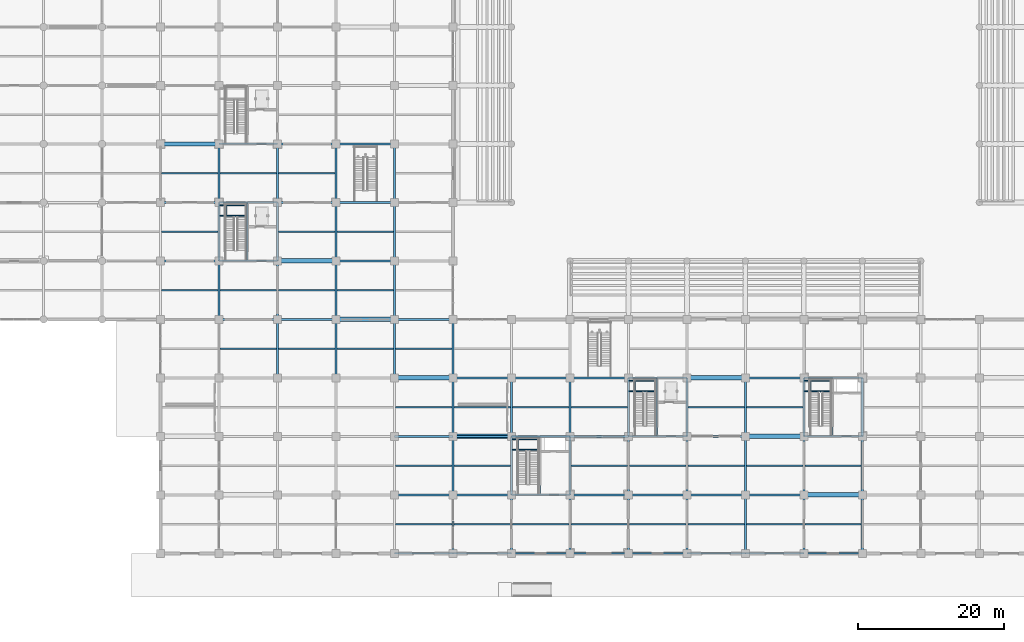
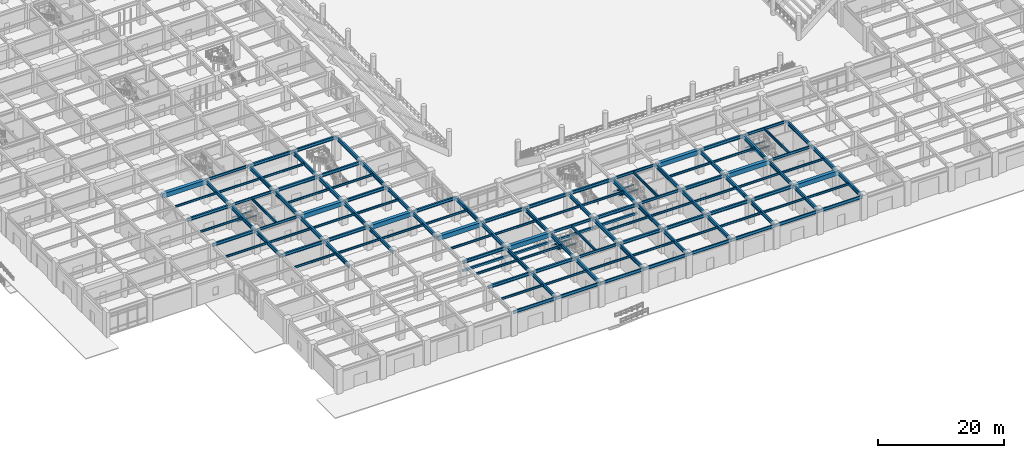
# One storey, part 24 of 125: 143 beams.
"""IFC4 building model written with IfcOpenShell, lengths in metres."""

from ifc_helpers import new_model, si_unit, direction, frame, origin, origin_2d, place, context, subcontext, project, spatial, rectangle, i_section, extrude, material, material_profile, profile_set, type_object, element, save


model = new_model("IFC4")

# Units and contexts
model_context = context("Model", 3, precision=1e-05, world=origin(), true_north=direction((0.0, 1.0)))
body_context = subcontext(model_context, "Body", "Model", "MODEL_VIEW")
ifc_project = project(units=[si_unit("LENGTHUNIT", "METRE"), si_unit("AREAUNIT", "SQUARE_METRE"), si_unit("VOLUMEUNIT", "CUBIC_METRE"), si_unit("PLANEANGLEUNIT", "RADIAN"), si_unit("MASSUNIT", "GRAM", prefix="KILO")], contexts=[model_context])

# Site, building, storey
site_placement = place(None, origin())
site = spatial("IfcSite", under=ifc_project, at=site_placement, CompositionType="ELEMENT")
building_placement = place(site_placement, origin())
building = spatial("IfcBuilding", under=site, at=building_placement, Name="Haebicheon Civic Stadium", CompositionType="ELEMENT")
storey_placement = place(building_placement, origin())
storey = spatial("IfcBuildingStorey", under=building, at=storey_placement, Name="L01", CompositionType="ELEMENT", Elevation=0.0)

# Beams
ifc_material_1 = material(Name="Precast concrete C40/50", Category="concrete")
ifc_material_profile_1 = material_profile(ifc_material_1, rectangle(XDim=0.300048828125, YDim=0.39990234375, at=origin_2d()), Name="PC-LN-300x400")
ifc_profile_set_1 = profile_set([ifc_material_profile_1], Name="Precast concrete C40/50")
beam_type_1 = type_object("IfcBeamType", Name="BM-LN-300x400", PredefinedType="LINTEL", material=ifc_profile_set_1)
for number, where, z_axis, x_axis, name in (
    (1, (56.0, 16.0, 2.550048828125), (1.0, 0.0, 0.0), (0.0, 1.0, 0.0), "Precast portal lintel 3"),
    (2, (64.0, 16.0, 2.550048828125), (1.0, 0.0, 0.0), (0.0, 1.0, 0.0), "Precast portal lintel 4"),
    (3, (72.0, 16.0, 2.550048828125), (1.0, 0.0, 0.0), (0.0, 1.0, 0.0), "Precast portal lintel 5"),
    (4, (80.0, 16.0, 2.550048828125), (1.0, 0.0, 0.0), (0.0, 1.0, 0.0), "Precast portal lintel 6"),
):
    element("IfcBeam", number, at=place(storey_placement, frame(where, z_axis=z_axis, x_axis=x_axis)), inside=storey, type_object=beam_type_1, material=ifc_profile_set_1, Name=name, PredefinedType="LINTEL", context=body_context, shape_type="SweptSolid", body=[
        extrude(rectangle(XDim=0.300048828125, YDim=0.39990234375, at=origin_2d()), origin(), (0.0, 0.0, 1.0), 8.0),
    ])
ifc_material_2 = material(Name="Steel SM355 (S355)", Category="steel")
ifc_material_profile_2 = material_profile(ifc_material_2, i_section(OverallWidth=0.199951171875, OverallDepth=0.5, WebThickness=0.010009765625, FlangeThickness=0.01611328125, at=origin_2d()), Name="H-500x200x10x16")
ifc_profile_set_2 = profile_set([ifc_material_profile_2], Name="Steel SM355 (S355)")
beam_type_2 = type_object("IfcBeamType", Name="BM-ST-H500", PredefinedType="BEAM", material=ifc_profile_set_2)
for number, where, z_axis, x_axis, name in (
    (5, (32.0, 40.0, 4.22998046875), (1.0, 0.0, 0.0), (0.0, 1.0, 0.0), "L01 beam F/5-6"),
    (6, (32.0, 48.0, 4.22998046875), (1.0, 0.0, 0.0), (0.0, 1.0, 0.0), "L01 beam G/5-6"),
    (7, (32.0, 56.0, 4.22998046875), (1.0, 0.0, 0.0), (0.0, 1.0, 0.0), "L01 beam H/5-6"),
    (8, (72.0, 8.0, 4.27001953125), (1.0, 0.0, 0.0), (0.0, 1.0, 0.0), "L01 beam B/10-11"),
    (9, (72.0, 16.0, 4.27001953125), (1.0, 0.0, 0.0), (0.0, 1.0, 0.0), "L01 beam C/10-11"),
    (10, (88.0, 16.0, 4.27001953125), (1.0, 0.0, 0.0), (0.0, 1.0, 0.0), "L01 beam C/12-13"),
    (11, (88.0, 24.0, 4.27001953125), (1.0, 0.0, 0.0), (0.0, 1.0, 0.0), "L01 beam D/12-13"),
    (12, (112.0, 16.0, 4.27001953125), (1.0, 0.0, 0.0), (0.0, 1.0, 0.0), "L01 beam C/15-16"),
    (13, (112.0, 24.0, 4.27001953125), (1.0, 0.0, 0.0), (0.0, 1.0, 0.0), "L01 beam D/15-16"),
):
    element("IfcBeam", number, at=place(storey_placement, frame(where, z_axis=z_axis, x_axis=x_axis)), inside=storey, type_object=beam_type_2, material=ifc_profile_set_2, Name=name, PredefinedType="BEAM", context=body_context, shape_type="SweptSolid", body=[
        extrude(i_section(OverallWidth=0.199951171875, OverallDepth=0.5, WebThickness=0.010009765625, FlangeThickness=0.01611328125, at=origin_2d()), origin(), (0.0, 0.0, 1.0), 8.0),
    ])
for number, where, z_axis, x_axis, name in (
    (14, (35.8798828125, 40.10009765625, 4.22998046875), (0.0, 1.0, 0.0), (-1.0, 0.0, 0.0), "L01 KC-01 core dividing wall support beam"),
    (15, (75.8798828125, 8.10009765625, 4.27001953125), (0.0, 1.0, 0.0), (-1.0, 0.0, 0.0), "L01 KC-16 core dividing wall support beam"),
    (16, (91.8798828125, 16.10009765625, 4.27001953125), (0.0, 1.0, 0.0), (-1.0, 0.0, 0.0), "L01 KC-06 core dividing wall support beam"),
    (17, (115.8798828125, 16.10009765625, 4.27001953125), (0.0, 1.0, 0.0), (-1.0, 0.0, 0.0), "L01 KC-07 core dividing wall support beam"),
):
    element("IfcBeam", number, at=place(storey_placement, frame(where, z_axis=z_axis, x_axis=x_axis)), inside=storey, type_object=beam_type_2, material=ifc_profile_set_2, Name=name, PredefinedType="BEAM", context=body_context, shape_type="SweptSolid", body=[
        extrude(i_section(OverallWidth=0.199951171875, OverallDepth=0.5, WebThickness=0.010009765625, FlangeThickness=0.01611328125, at=origin_2d()), origin(), (0.0, 0.0, 1.0), 7.7998046875),
    ])
ifc_material_3 = material(Name="Steel SM355 (S355)", Category="steel")
ifc_material_profile_3 = material_profile(ifc_material_3, i_section(OverallWidth=0.300048828125, OverallDepth=0.60009765625, WebThickness=0.011962890625, FlangeThickness=0.02001953125, at=origin_2d()), Name="H-600x300x12x20")
ifc_profile_set_3 = profile_set([ifc_material_profile_3], Name="Steel SM355 (S355)")
beam_type_3 = type_object("IfcBeamType", Name="BM-ST-H600A", PredefinedType="BEAM", material=ifc_profile_set_3)
for number, where, z_axis, x_axis, name in (
    (18, (24.0, 40.0, 4.179931640625), (1.0, 0.0, 0.0), (0.0, 1.0, 0.0), "L01 beam F/4-5"),
    (19, (24.0, 48.0, 4.179931640625), (1.0, 0.0, 0.0), (0.0, 1.0, 0.0), "L01 beam G/4-5"),
    (20, (32.0, 32.0, 4.179931640625), (1.0, 0.0, 0.0), (0.0, 1.0, 0.0), "L01 beam E/5-6"),
    (21, (40.0, 32.0, 4.179931640625), (1.0, 0.0, 0.0), (0.0, 1.0, 0.0), "L01 beam E/6-7"),
    (22, (40.0, 48.0, 4.179931640625), (1.0, 0.0, 0.0), (0.0, 1.0, 0.0), "L01 beam G/6-7"),
    (23, (40.0, 56.0, 4.179931640625), (1.0, 0.0, 0.0), (0.0, 1.0, 0.0), "L01 beam H/6-7"),
    (24, (48.0, 40.0, 4.179931640625), (1.0, 0.0, 0.0), (0.0, 1.0, 0.0), "L01 beam F/7-8"),
    (25, (48.0, 48.0, 4.179931640625), (1.0, 0.0, 0.0), (0.0, 1.0, 0.0), "L01 beam G/7-8"),
    (26, (48.0, 56.0, 4.179931640625), (1.0, 0.0, 0.0), (0.0, 1.0, 0.0), "L01 beam H/7-8"),
    (27, (56.0, 8.0, 4.219970703125), (1.0, 0.0, 0.0), (0.0, 1.0, 0.0), "L01 beam B/8-9"),
    (28, (56.0, 16.0, 4.219970703125), (1.0, 0.0, 0.0), (0.0, 1.0, 0.0), "L01 beam C/8-9"),
    (29, (56.0, 32.0, 4.179931640625), (1.0, 0.0, 0.0), (0.0, 1.0, 0.0), "L01 beam E/8-9"),
    (30, (64.0, 8.0, 4.219970703125), (1.0, 0.0, 0.0), (0.0, 1.0, 0.0), "L01 beam B/9-10"),
    (31, (64.0, 24.0, 4.219970703125), (1.0, 0.0, 0.0), (0.0, 1.0, 0.0), "L01 beam D/9-10"),
    (32, (72.0, 24.0, 4.219970703125), (1.0, 0.0, 0.0), (0.0, 1.0, 0.0), "L01 beam D/10-11"),
    (33, (80.0, 8.0, 4.219970703125), (1.0, 0.0, 0.0), (0.0, 1.0, 0.0), "L01 beam B/11-12"),
    (34, (80.0, 16.0, 4.219970703125), (1.0, 0.0, 0.0), (0.0, 1.0, 0.0), "L01 beam C/11-12"),
    (35, (80.0, 24.0, 4.219970703125), (1.0, 0.0, 0.0), (0.0, 1.0, 0.0), "L01 beam D/11-12"),
    (36, (88.0, 8.0, 4.219970703125), (1.0, 0.0, 0.0), (0.0, 1.0, 0.0), "L01 beam B/12-13"),
    (37, (96.0, 8.0, 4.219970703125), (1.0, 0.0, 0.0), (0.0, 1.0, 0.0), "L01 beam B/13-14"),
    (38, (96.0, 16.0, 4.219970703125), (1.0, 0.0, 0.0), (0.0, 1.0, 0.0), "L01 beam C/13-14"),
    (39, (104.0, 8.0, 4.219970703125), (1.0, 0.0, 0.0), (0.0, 1.0, 0.0), "L01 beam B/14-15"),
    (40, (104.0, 24.0, 4.219970703125), (1.0, 0.0, 0.0), (0.0, 1.0, 0.0), "L01 beam D/14-15"),
):
    element("IfcBeam", number, at=place(storey_placement, frame(where, z_axis=z_axis, x_axis=x_axis)), inside=storey, type_object=beam_type_3, material=ifc_profile_set_3, Name=name, PredefinedType="BEAM", context=body_context, shape_type="SweptSolid", body=[
        extrude(i_section(OverallWidth=0.300048828125, OverallDepth=0.60009765625, WebThickness=0.011962890625, FlangeThickness=0.02001953125, at=origin_2d()), origin(), (0.0, 0.0, 1.0), 8.0),
    ])
ifc_material_4 = material(Name="Steel SM490", Category="steel")
ifc_material_profile_4 = material_profile(ifc_material_4, i_section(OverallWidth=0.300048828125, OverallDepth=0.699951171875, WebThickness=0.012939453125, FlangeThickness=0.02392578125, at=origin_2d()), Name="H-700x300x13x24")
ifc_profile_set_4 = profile_set([ifc_material_profile_4], Name="Steel SM490")
beam_type_4 = type_object("IfcBeamType", Name="BM-ST-H700", PredefinedType="BEAM", material=ifc_profile_set_4)
for number, where, z_axis, x_axis, name in (
    (41, (32.0, 32.0, 4.1298828125), (0.0, 1.0, 0.0), (-1.0, 0.0, 0.0), "L01 girder 5/E-F"),
    (42, (32.0, 40.0, 4.1298828125), (0.0, 1.0, 0.0), (-1.0, 0.0, 0.0), "L01 girder 5/F-G"),
    (43, (32.0, 48.0, 4.1298828125), (0.0, 1.0, 0.0), (-1.0, 0.0, 0.0), "L01 girder 5/G-H"),
    (44, (40.0, 24.0, 4.1298828125), (0.0, 1.0, 0.0), (-1.0, 0.0, 0.0), "L01 girder 6/D-E"),
    (45, (40.0, 32.0, 4.1298828125), (0.0, 1.0, 0.0), (-1.0, 0.0, 0.0), "L01 girder 6/E-F"),
    (46, (40.0, 40.0, 4.1298828125), (0.0, 1.0, 0.0), (-1.0, 0.0, 0.0), "L01 girder 6/F-G"),
    (47, (40.0, 48.0, 4.1298828125), (0.0, 1.0, 0.0), (-1.0, 0.0, 0.0), "L01 girder 6/G-H"),
    (48, (48.0, 24.0, 4.1298828125), (0.0, 1.0, 0.0), (-1.0, 0.0, 0.0), "L01 girder 7/D-E"),
    (49, (48.0, 32.0, 4.1298828125), (0.0, 1.0, 0.0), (-1.0, 0.0, 0.0), "L01 girder 7/E-F"),
    (50, (48.0, 40.0, 4.1298828125), (0.0, 1.0, 0.0), (-1.0, 0.0, 0.0), "L01 girder 7/F-G"),
    (51, (48.0, 48.0, 4.1298828125), (0.0, 1.0, 0.0), (-1.0, 0.0, 0.0), "L01 girder 7/G-H"),
    (52, (56.0, 24.0, 4.1298828125), (0.0, 1.0, 0.0), (-1.0, 0.0, 0.0), "L01 girder 8/D-E"),
    (53, (56.0, 32.0, 4.1298828125), (0.0, 1.0, 0.0), (-1.0, 0.0, 0.0), "L01 girder 8/E-F"),
    (54, (56.0, 40.0, 4.1298828125), (0.0, 1.0, 0.0), (-1.0, 0.0, 0.0), "L01 girder 8/F-G"),
    (55, (56.0, 48.0, 4.1298828125), (0.0, 1.0, 0.0), (-1.0, 0.0, 0.0), "L01 girder 8/G-H"),
    (56, (64.0, 0.0, 4.169921875), (0.0, 1.0, 0.0), (-1.0, 0.0, 0.0), "L01 girder 9/A-B"),
    (57, (64.0, 8.0, 4.169921875), (0.0, 1.0, 0.0), (-1.0, 0.0, 0.0), "L01 girder 9/B-C"),
    (58, (64.0, 16.0, 4.169921875), (0.0, 1.0, 0.0), (-1.0, 0.0, 0.0), "L01 girder 9/C-D"),
    (59, (64.0, 24.0, 4.1298828125), (0.0, 1.0, 0.0), (-1.0, 0.0, 0.0), "L01 girder 9/D-E"),
    (60, (72.0, 0.0, 4.169921875), (0.0, 1.0, 0.0), (-1.0, 0.0, 0.0), "L01 girder 10/A-B"),
    (61, (72.0, 8.0, 4.169921875), (0.0, 1.0, 0.0), (-1.0, 0.0, 0.0), "L01 girder 10/B-C"),
    (62, (72.0, 16.0, 4.169921875), (0.0, 1.0, 0.0), (-1.0, 0.0, 0.0), "L01 girder 10/C-D"),
    (63, (80.0, 0.0, 4.169921875), (0.0, 1.0, 0.0), (-1.0, 0.0, 0.0), "L01 girder 11/A-B"),
    (64, (80.0, 8.0, 4.169921875), (0.0, 1.0, 0.0), (-1.0, 0.0, 0.0), "L01 girder 11/B-C"),
    (65, (80.0, 16.0, 4.169921875), (0.0, 1.0, 0.0), (-1.0, 0.0, 0.0), "L01 girder 11/C-D"),
    (66, (88.0, 0.0, 4.169921875), (0.0, 1.0, 0.0), (-1.0, 0.0, 0.0), "L01 girder 12/A-B"),
    (67, (88.0, 8.0, 4.169921875), (0.0, 1.0, 0.0), (-1.0, 0.0, 0.0), "L01 girder 12/B-C"),
    (68, (88.0, 16.0, 4.169921875), (0.0, 1.0, 0.0), (-1.0, 0.0, 0.0), "L01 girder 12/C-D"),
    (69, (96.0, 0.0, 4.169921875), (0.0, 1.0, 0.0), (-1.0, 0.0, 0.0), "L01 girder 13/A-B"),
    (70, (96.0, 8.0, 4.169921875), (0.0, 1.0, 0.0), (-1.0, 0.0, 0.0), "L01 girder 13/B-C"),
    (71, (96.0, 16.0, 4.169921875), (0.0, 1.0, 0.0), (-1.0, 0.0, 0.0), "L01 girder 13/C-D"),
    (72, (104.0, 0.0, 4.169921875), (0.0, 1.0, 0.0), (-1.0, 0.0, 0.0), "L01 girder 14/A-B"),
    (73, (104.0, 8.0, 4.169921875), (0.0, 1.0, 0.0), (-1.0, 0.0, 0.0), "L01 girder 14/B-C"),
    (74, (104.0, 16.0, 4.169921875), (0.0, 1.0, 0.0), (-1.0, 0.0, 0.0), "L01 girder 14/C-D"),
    (75, (112.0, 0.0, 4.169921875), (0.0, 1.0, 0.0), (-1.0, 0.0, 0.0), "L01 girder 15/A-B"),
    (76, (112.0, 8.0, 4.169921875), (0.0, 1.0, 0.0), (-1.0, 0.0, 0.0), "L01 girder 15/B-C"),
    (77, (112.0, 16.0, 4.169921875), (0.0, 1.0, 0.0), (-1.0, 0.0, 0.0), "L01 girder 15/C-D"),
    (78, (120.0, 0.0, 4.169921875), (0.0, 1.0, 0.0), (-1.0, 0.0, 0.0), "L01 girder 16/A-B"),
    (79, (120.0, 8.0, 4.169921875), (0.0, 1.0, 0.0), (-1.0, 0.0, 0.0), "L01 girder 16/B-C"),
    (80, (120.0, 16.0, 4.169921875), (0.0, 1.0, 0.0), (-1.0, 0.0, 0.0), "L01 girder 16/C-D"),
):
    element("IfcBeam", number, at=place(storey_placement, frame(where, z_axis=z_axis, x_axis=x_axis)), inside=storey, type_object=beam_type_4, material=ifc_profile_set_4, Name=name, PredefinedType="BEAM", context=body_context, shape_type="SweptSolid", body=[
        extrude(i_section(OverallWidth=0.300048828125, OverallDepth=0.699951171875, WebThickness=0.012939453125, FlangeThickness=0.02392578125, at=origin_2d()), origin(), (0.0, 0.0, 1.0), 8.0),
    ])
ifc_material_5 = material(Name="Precast concrete C40/50", Category="concrete")
ifc_material_profile_5 = material_profile(ifc_material_5, rectangle(XDim=0.60009765625, YDim=0.85009765625, at=origin_2d()), Name="PC-TB-600x850")
ifc_profile_set_5 = profile_set([ifc_material_profile_5], Name="Precast concrete C40/50")
beam_type_5 = type_object("IfcBeamType", Name="BM-TB-600x850", PredefinedType="T_BEAM", material=ifc_profile_set_5)
for number, where, z_axis, x_axis, name in (
    (81, (24.0, 56.0, 4.054931640625), (1.0, 0.0, 0.0), (0.0, 1.0, 0.0), "L01 beam H/4-5"),
    (82, (40.0, 40.0, 4.054931640625), (1.0, 0.0, 0.0), (0.0, 1.0, 0.0), "L01 beam F/6-7"),
    (83, (48.0, 32.0, 4.054931640625), (1.0, 0.0, 0.0), (0.0, 1.0, 0.0), "L01 beam E/7-8"),
    (84, (56.0, 24.0, 4.054931640625), (1.0, 0.0, 0.0), (0.0, 1.0, 0.0), "L01 beam D/8-9"),
    (85, (64.0, 16.0, 4.094970703125), (1.0, 0.0, 0.0), (0.0, 1.0, 0.0), "L01 beam C/9-10"),
    (86, (96.0, 24.0, 4.094970703125), (1.0, 0.0, 0.0), (0.0, 1.0, 0.0), "L01 beam D/13-14"),
    (87, (104.0, 16.0, 4.094970703125), (1.0, 0.0, 0.0), (0.0, 1.0, 0.0), "L01 beam C/14-15"),
    (88, (112.0, 8.0, 4.094970703125), (1.0, 0.0, 0.0), (0.0, 1.0, 0.0), "L01 beam B/15-16"),
):
    element("IfcBeam", number, at=place(storey_placement, frame(where, z_axis=z_axis, x_axis=x_axis)), inside=storey, type_object=beam_type_5, material=ifc_profile_set_5, Name=name, PredefinedType="T_BEAM", context=body_context, shape_type="SweptSolid", body=[
        extrude(rectangle(XDim=0.60009765625, YDim=0.85009765625, at=origin_2d()), origin(), (0.0, 0.0, 1.0), 8.0),
    ])
ifc_material_6 = material(Name="Steel SM355 (S355)", Category="steel")
ifc_material_profile_6 = material_profile(ifc_material_6, i_section(OverallWidth=0.125, OverallDepth=0.25, WebThickness=0.006103515625, FlangeThickness=0.009033203125, at=origin_2d()), Name="H-250x125x6x9")
ifc_profile_set_6 = profile_set([ifc_material_profile_6], Name="Steel SM355 (S355)")
beam_type_6 = type_object("IfcBeamType", Name="JST-ST-H250", PredefinedType="JOIST", material=ifc_profile_set_6)
for number, where, z_axis, x_axis, name in (
    (89, (32.080078125, 46.169921875, 2.072021484375), (1.0, 0.0, 0.0), (0.0, 1.0, 0.0), "KC-01 L01 stair half-landing front trimmer beam"),
    (90, (32.080078125, 47.6201171875, 2.072021484375), (1.0, 0.0, 0.0), (0.0, 1.0, 0.0), "KC-01 L01 stair half-landing rear trimmer beam"),
):
    element("IfcBeam", number, at=place(storey_placement, frame(where, z_axis=z_axis, x_axis=x_axis)), inside=storey, type_object=beam_type_6, material=ifc_profile_set_6, Name=name, PredefinedType="JOIST", context=body_context, shape_type="SweptSolid", body=[
        extrude(i_section(OverallWidth=0.125, OverallDepth=0.25, WebThickness=0.006103515625, FlangeThickness=0.009033203125, at=origin_2d()), origin(), (0.0, 0.0, 1.0), 3.719970703125),
    ])
beam_1_placement = place(storey_placement, frame((32.9599609375, 46.169921875, 2.072021484375), z_axis=(0.0, 1.0, 0.0), x_axis=(-1.0, 0.0, 0.0)))
element("IfcBeam", 91, at=beam_1_placement, inside=storey, type_object=beam_type_6, material=ifc_profile_set_6, Name="KC-01 L01 stair half-landing transverse tie beam", PredefinedType="JOIST", context=body_context, shape_type="SweptSolid", body=[
    extrude(i_section(OverallWidth=0.125, OverallDepth=0.25, WebThickness=0.006103515625, FlangeThickness=0.009033203125, at=origin_2d()), origin(), (0.0, 0.0, 1.0), 1.4501953125),
])
for number, where, z_axis, x_axis, name in (
    (92, (88.080078125, 22.169921875, 2.072021484375), (1.0, 0.0, 0.0), (0.0, 1.0, 0.0), "KC-06 L01 stair half-landing front trimmer beam"),
    (93, (88.080078125, 23.6201171875, 2.072021484375), (1.0, 0.0, 0.0), (0.0, 1.0, 0.0), "KC-06 L01 stair half-landing rear trimmer beam"),
):
    element("IfcBeam", number, at=place(storey_placement, frame(where, z_axis=z_axis, x_axis=x_axis)), inside=storey, type_object=beam_type_6, material=ifc_profile_set_6, Name=name, PredefinedType="JOIST", context=body_context, shape_type="SweptSolid", body=[
        extrude(i_section(OverallWidth=0.125, OverallDepth=0.25, WebThickness=0.006103515625, FlangeThickness=0.009033203125, at=origin_2d()), origin(), (0.0, 0.0, 1.0), 3.719970703125),
    ])
beam_2_placement = place(storey_placement, frame((88.9599609375, 22.169921875, 2.072021484375), z_axis=(0.0, 1.0, 0.0), x_axis=(-1.0, 0.0, 0.0)))
element("IfcBeam", 94, at=beam_2_placement, inside=storey, type_object=beam_type_6, material=ifc_profile_set_6, Name="KC-06 L01 stair half-landing transverse tie beam", PredefinedType="JOIST", context=body_context, shape_type="SweptSolid", body=[
    extrude(i_section(OverallWidth=0.125, OverallDepth=0.25, WebThickness=0.006103515625, FlangeThickness=0.009033203125, at=origin_2d()), origin(), (0.0, 0.0, 1.0), 1.4501953125),
])
for number, where, z_axis, x_axis, name in (
    (95, (112.080078125, 22.169921875, 2.072021484375), (1.0, 0.0, 0.0), (0.0, 1.0, 0.0), "KC-07 L01 stair half-landing front trimmer beam"),
    (96, (112.080078125, 23.6201171875, 2.072021484375), (1.0, 0.0, 0.0), (0.0, 1.0, 0.0), "KC-07 L01 stair half-landing rear trimmer beam"),
):
    element("IfcBeam", number, at=place(storey_placement, frame(where, z_axis=z_axis, x_axis=x_axis)), inside=storey, type_object=beam_type_6, material=ifc_profile_set_6, Name=name, PredefinedType="JOIST", context=body_context, shape_type="SweptSolid", body=[
        extrude(i_section(OverallWidth=0.125, OverallDepth=0.25, WebThickness=0.006103515625, FlangeThickness=0.009033203125, at=origin_2d()), origin(), (0.0, 0.0, 1.0), 3.719970703125),
    ])
beam_3_placement = place(storey_placement, frame((112.9599609375, 22.169921875, 2.072021484375), z_axis=(0.0, 1.0, 0.0), x_axis=(-1.0, 0.0, 0.0)))
element("IfcBeam", 97, at=beam_3_placement, inside=storey, type_object=beam_type_6, material=ifc_profile_set_6, Name="KC-07 L01 stair half-landing transverse tie beam", PredefinedType="JOIST", context=body_context, shape_type="SweptSolid", body=[
    extrude(i_section(OverallWidth=0.125, OverallDepth=0.25, WebThickness=0.006103515625, FlangeThickness=0.009033203125, at=origin_2d()), origin(), (0.0, 0.0, 1.0), 1.4501953125),
])
for number, where, z_axis, x_axis, name in (
    (98, (72.080078125, 14.169921875, 2.072021484375), (1.0, 0.0, 0.0), (0.0, 1.0, 0.0), "KC-16 L01 stair half-landing front trimmer beam"),
    (99, (72.080078125, 15.6201171875, 2.072021484375), (1.0, 0.0, 0.0), (0.0, 1.0, 0.0), "KC-16 L01 stair half-landing rear trimmer beam"),
):
    element("IfcBeam", number, at=place(storey_placement, frame(where, z_axis=z_axis, x_axis=x_axis)), inside=storey, type_object=beam_type_6, material=ifc_profile_set_6, Name=name, PredefinedType="JOIST", context=body_context, shape_type="SweptSolid", body=[
        extrude(i_section(OverallWidth=0.125, OverallDepth=0.25, WebThickness=0.006103515625, FlangeThickness=0.009033203125, at=origin_2d()), origin(), (0.0, 0.0, 1.0), 3.719970703125),
    ])
beam_4_placement = place(storey_placement, frame((72.9599609375, 14.169921875, 2.072021484375), z_axis=(0.0, 1.0, 0.0), x_axis=(-1.0, 0.0, 0.0)))
element("IfcBeam", 100, at=beam_4_placement, inside=storey, type_object=beam_type_6, material=ifc_profile_set_6, Name="KC-16 L01 stair half-landing transverse tie beam", PredefinedType="JOIST", context=body_context, shape_type="SweptSolid", body=[
    extrude(i_section(OverallWidth=0.125, OverallDepth=0.25, WebThickness=0.006103515625, FlangeThickness=0.009033203125, at=origin_2d()), origin(), (0.0, 0.0, 1.0), 1.4501953125),
])
ifc_material_7 = material(Name="Steel SM355 (S355)", Category="steel")
ifc_material_profile_7 = material_profile(ifc_material_7, i_section(OverallWidth=0.199951171875, OverallDepth=0.39990234375, WebThickness=0.008056640625, FlangeThickness=0.012939453125, at=origin_2d()), Name="H-400x200x8x13")
ifc_profile_set_7 = profile_set([ifc_material_profile_7], Name="Steel SM355 (S355)")
beam_type_7 = type_object("IfcBeamType", Name="JST-ST-H400", PredefinedType="JOIST", material=ifc_profile_set_7)
for number, where, z_axis, x_axis, name in (
    (101, (24.14990234375, 36.0, 4.280029296875), (1.0, 0.0, 0.0), (0.0, 1.0, 0.0), "L01 secondary joist 03-04"),
    (102, (24.14990234375, 44.0, 4.280029296875), (1.0, 0.0, 0.0), (0.0, 1.0, 0.0), "L01 secondary joist 03-05"),
    (103, (24.14990234375, 52.0, 4.280029296875), (1.0, 0.0, 0.0), (0.0, 1.0, 0.0), "L01 secondary joist 03-06"),
    (104, (32.14990234375, 28.0, 4.280029296875), (1.0, 0.0, 0.0), (0.0, 1.0, 0.0), "L01 secondary joist 04-03"),
    (105, (32.14990234375, 36.0, 4.280029296875), (1.0, 0.0, 0.0), (0.0, 1.0, 0.0), "L01 secondary joist 04-04"),
    (106, (32.14990234375, 52.0, 4.280029296875), (1.0, 0.0, 0.0), (0.0, 1.0, 0.0), "L01 secondary joist 04-06"),
    (107, (40.14990234375, 28.0, 4.280029296875), (1.0, 0.0, 0.0), (0.0, 1.0, 0.0), "L01 secondary joist 05-03"),
    (108, (40.14990234375, 36.0, 4.280029296875), (1.0, 0.0, 0.0), (0.0, 1.0, 0.0), "L01 secondary joist 05-04"),
    (109, (40.14990234375, 44.0, 4.280029296875), (1.0, 0.0, 0.0), (0.0, 1.0, 0.0), "L01 secondary joist 05-05"),
    (110, (40.14990234375, 52.0, 4.280029296875), (1.0, 0.0, 0.0), (0.0, 1.0, 0.0), "L01 secondary joist 05-06"),
    (111, (48.14990234375, 28.0, 4.280029296875), (1.0, 0.0, 0.0), (0.0, 1.0, 0.0), "L01 secondary joist 06-03"),
    (112, (48.14990234375, 36.0, 4.280029296875), (1.0, 0.0, 0.0), (0.0, 1.0, 0.0), "L01 secondary joist 06-04"),
    (113, (48.14990234375, 44.0, 4.280029296875), (1.0, 0.0, 0.0), (0.0, 1.0, 0.0), "L01 secondary joist 06-05"),
    (114, (56.14990234375, 4.0, 4.320068359375), (1.0, 0.0, 0.0), (0.0, 1.0, 0.0), "L01 secondary joist 07-00"),
    (115, (56.14990234375, 12.0, 4.320068359375), (1.0, 0.0, 0.0), (0.0, 1.0, 0.0), "L01 secondary joist 07-01"),
    (116, (56.14990234375, 20.0, 4.3798828125), (1.0, 0.0, 0.0), (0.0, 1.0, 0.0), "L01 secondary joist 07-02"),
    (117, (56.14990234375, 28.0, 4.280029296875), (1.0, 0.0, 0.0), (0.0, 1.0, 0.0), "L01 secondary joist 07-03"),
    (118, (64.14990234375, 4.0, 4.320068359375), (1.0, 0.0, 0.0), (0.0, 1.0, 0.0), "L01 secondary joist 08-00"),
    (119, (64.14990234375, 12.0, 4.320068359375), (1.0, 0.0, 0.0), (0.0, 1.0, 0.0), "L01 secondary joist 08-01"),
    (120, (64.14990234375, 20.0, 4.320068359375), (1.0, 0.0, 0.0), (0.0, 1.0, 0.0), "L01 secondary joist 08-02"),
    (121, (72.14990234375, 4.0, 4.320068359375), (1.0, 0.0, 0.0), (0.0, 1.0, 0.0), "L01 secondary joist 09-00"),
    (122, (72.14990234375, 20.0, 4.320068359375), (1.0, 0.0, 0.0), (0.0, 1.0, 0.0), "L01 secondary joist 09-02"),
    (123, (80.14990234375, 4.0, 4.320068359375), (1.0, 0.0, 0.0), (0.0, 1.0, 0.0), "L01 secondary joist 10-00"),
    (124, (80.14990234375, 12.0, 4.320068359375), (1.0, 0.0, 0.0), (0.0, 1.0, 0.0), "L01 secondary joist 10-01"),
    (125, (80.14990234375, 20.0, 4.320068359375), (1.0, 0.0, 0.0), (0.0, 1.0, 0.0), "L01 secondary joist 10-02"),
    (126, (88.14990234375, 4.0, 4.320068359375), (1.0, 0.0, 0.0), (0.0, 1.0, 0.0), "L01 secondary joist 11-00"),
    (127, (88.14990234375, 12.0, 4.320068359375), (1.0, 0.0, 0.0), (0.0, 1.0, 0.0), "L01 secondary joist 11-01"),
    (128, (96.14990234375, 4.0, 4.320068359375), (1.0, 0.0, 0.0), (0.0, 1.0, 0.0), "L01 secondary joist 12-00"),
    (129, (96.14990234375, 12.0, 4.320068359375), (1.0, 0.0, 0.0), (0.0, 1.0, 0.0), "L01 secondary joist 12-01"),
    (130, (96.14990234375, 20.0, 4.320068359375), (1.0, 0.0, 0.0), (0.0, 1.0, 0.0), "L01 secondary joist 12-02"),
    (131, (104.14990234375, 4.0, 4.320068359375), (1.0, 0.0, 0.0), (0.0, 1.0, 0.0), "L01 secondary joist 13-00"),
    (132, (104.14990234375, 12.0, 4.320068359375), (1.0, 0.0, 0.0), (0.0, 1.0, 0.0), "L01 secondary joist 13-01"),
    (133, (104.14990234375, 20.0, 4.320068359375), (1.0, 0.0, 0.0), (0.0, 1.0, 0.0), "L01 secondary joist 13-02"),
    (134, (112.14990234375, 4.0, 4.320068359375), (1.0, 0.0, 0.0), (0.0, 1.0, 0.0), "L01 secondary joist 14-00"),
    (135, (112.14990234375, 12.0, 4.320068359375), (1.0, 0.0, 0.0), (0.0, 1.0, 0.0), "L01 secondary joist 14-01"),
):
    element("IfcBeam", number, at=place(storey_placement, frame(where, z_axis=z_axis, x_axis=x_axis)), inside=storey, type_object=beam_type_7, material=ifc_profile_set_7, Name=name, PredefinedType="JOIST", context=body_context, shape_type="SweptSolid", body=[
        extrude(i_section(OverallWidth=0.199951171875, OverallDepth=0.39990234375, WebThickness=0.008056640625, FlangeThickness=0.012939453125, at=origin_2d()), origin(), (0.0, 0.0, 1.0), 7.7001953125),
    ])
ifc_material_8 = material(Name="Steel SM355 (S355)", Category="steel")
ifc_material_profile_8 = material_profile(ifc_material_8, i_section(OverallWidth=0.199951171875, OverallDepth=0.60009765625, WebThickness=0.010986328125, FlangeThickness=0.01708984375, at=origin_2d()), Name="H-600x200x11x17")
ifc_profile_set_8 = profile_set([ifc_material_profile_8], Name="Steel SM355 (S355)")
beam_type_8 = type_object("IfcBeamType", Name="SPD-ST-H600B", PredefinedType="SPANDREL", material=ifc_profile_set_8)
for number, where, z_axis, x_axis, name in (
    (136, (56.0, 0.0, 4.219970703125), (1.0, 0.0, 0.0), (0.0, 1.0, 0.0), "L01 beam A/8-9"),
    (137, (64.0, 0.0, 4.219970703125), (1.0, 0.0, 0.0), (0.0, 1.0, 0.0), "L01 beam A/9-10"),
    (138, (72.0, 0.0, 4.219970703125), (1.0, 0.0, 0.0), (0.0, 1.0, 0.0), "L01 beam A/10-11"),
    (139, (80.0, 0.0, 4.219970703125), (1.0, 0.0, 0.0), (0.0, 1.0, 0.0), "L01 beam A/11-12"),
    (140, (88.0, 0.0, 4.219970703125), (1.0, 0.0, 0.0), (0.0, 1.0, 0.0), "L01 beam A/12-13"),
    (141, (96.0, 0.0, 4.219970703125), (1.0, 0.0, 0.0), (0.0, 1.0, 0.0), "L01 beam A/13-14"),
    (142, (104.0, 0.0, 4.219970703125), (1.0, 0.0, 0.0), (0.0, 1.0, 0.0), "L01 beam A/14-15"),
    (143, (112.0, 0.0, 4.219970703125), (1.0, 0.0, 0.0), (0.0, 1.0, 0.0), "L01 beam A/15-16"),
):
    element("IfcBeam", number, at=place(storey_placement, frame(where, z_axis=z_axis, x_axis=x_axis)), inside=storey, type_object=beam_type_8, material=ifc_profile_set_8, Name=name, PredefinedType="SPANDREL", context=body_context, shape_type="SweptSolid", body=[
        extrude(i_section(OverallWidth=0.199951171875, OverallDepth=0.60009765625, WebThickness=0.010986328125, FlangeThickness=0.01708984375, at=origin_2d()), origin(), (0.0, 0.0, 1.0), 8.0),
    ])

save(model, "model.ifc")
